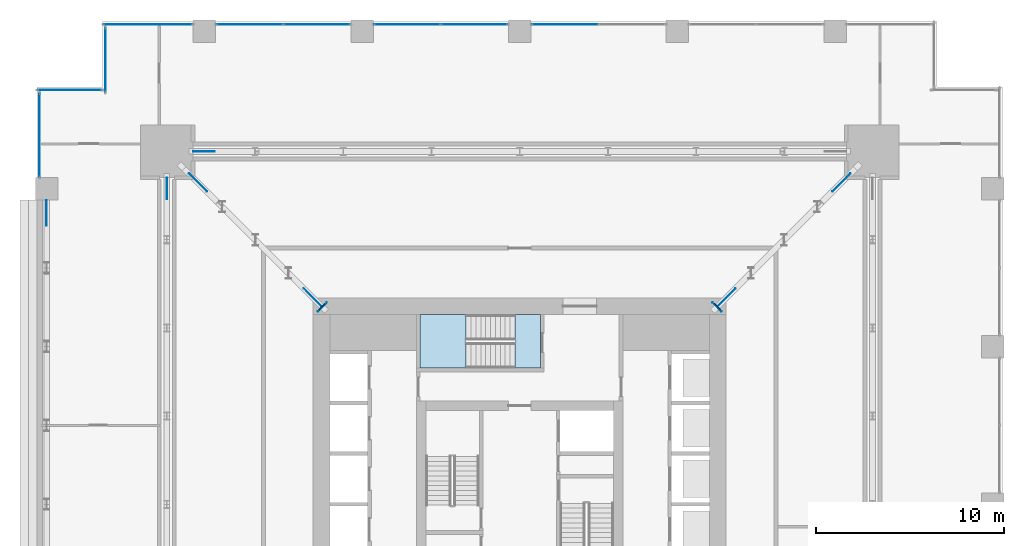
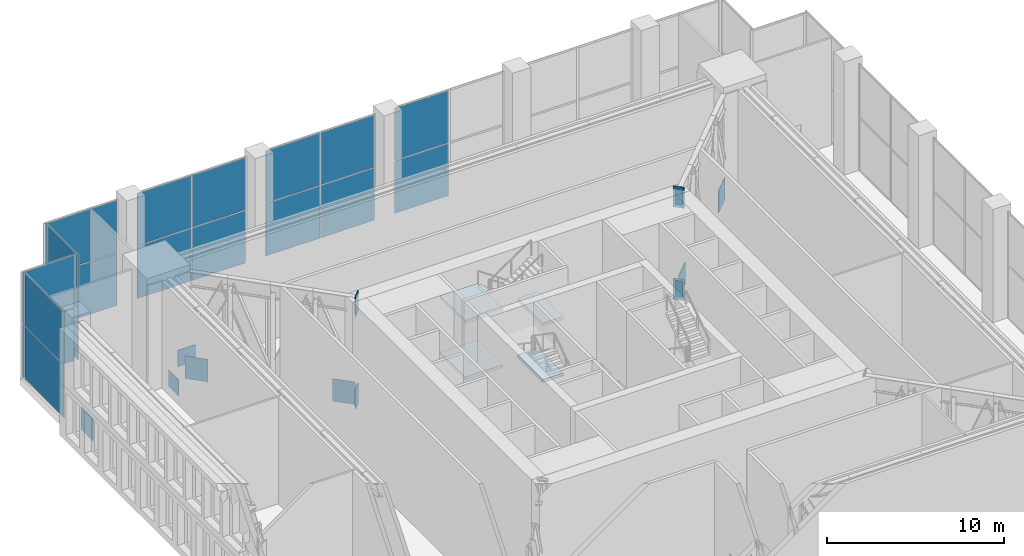
# One storey, part 14 of 21: 33 plates, 4 slabs, 8 elements without a shape of their own.
"""IFC4 building model written with IfcOpenShell, lengths in metres."""

from ifc_helpers import new_model, si_unit, direction, frame, origin, origin_2d, place, context, subcontext, project, spatial, polyline, rectangle, outline, extrude, material, layer, layer_set, type_object, element, aggregate, save


model = new_model("IFC4")

# Units and contexts
model_context = context("Model", 3, precision=1e-05, world=origin(), true_north=direction((0.0, 1.0)))
body_context = subcontext(model_context, "Body", "Model", "MODEL_VIEW")
ifc_project = project(units=[si_unit("LENGTHUNIT", "METRE"), si_unit("AREAUNIT", "SQUARE_METRE"), si_unit("VOLUMEUNIT", "CUBIC_METRE"), si_unit("PLANEANGLEUNIT", "RADIAN"), si_unit("MASSUNIT", "GRAM", prefix="KILO")], contexts=[model_context])

# Site, building, storey
site_placement = place(None, origin())
site = spatial("IfcSite", under=ifc_project, at=site_placement, CompositionType="ELEMENT")
building_placement = place(site_placement, origin())
building = spatial("IfcBuilding", under=site, at=building_placement, Name="Khepri Terraces", CompositionType="ELEMENT")
storey_placement = place(building_placement, frame((0.0, 0.0, 126.0)))
storey = spatial("IfcBuildingStorey", under=building, at=storey_placement, Name="L30", CompositionType="ELEMENT", Elevation=126.0)

# Curtain wall, plates
ifc_material_1 = material(Name="Anodised aluminium bronze curtain wall", Category="aluminium")
curtain_wall_type = type_object("IfcCurtainWallType", Name="CW-SYS3-SKY", PredefinedType="NOTDEFINED", material=ifc_material_1)
curtain_wall_1_placement = place(storey_placement, origin())
curtain_wall_1 = element("IfcCurtainWall", 1, at=curtain_wall_1_placement, inside=storey, type_object=curtain_wall_type, Name="Curtain wall CW3 L30 N", PredefinedType="NOTDEFINED")
ifc_material_2 = material(Name="Clear glass", Category="glass")
ifc_layer_1 = layer(ifc_material_2, 0.028076171875, Name="Clear glass", Category="glass")
ifc_layer_set_1 = layer_set([ifc_layer_1], Name="Clear glass")
plate_type_1 = type_object("IfcPlateType", Name="CW-PANEL-VISION-28", PredefinedType="CURTAIN_PANEL", material=ifc_layer_set_1)
plate_1_placement = place(storey_placement, frame((2.4150390625, 25.570068359375, 0.06005859375), z_axis=(0.0, 0.0, 1.0), x_axis=(-1.0, 0.0, 0.0)))
plate_1 = element("IfcPlate", 2, at=plate_1_placement, type_object=plate_type_1, Name="CW3 panel 2.1", PredefinedType="CURTAIN_PANEL", context=body_context, shape_type="SweptSolid", body=[
    extrude(rectangle(XDim=3.510009765625, YDim=0.028076171875, at=origin_2d()), origin(), (0.0, 0.0, 1.0), 3.60009765625),
])
plate_2_placement = place(storey_placement, frame((2.4150390625, 25.570068359375, 3.719970703125), z_axis=(0.0, 0.0, 1.0), x_axis=(-1.0, 0.0, 0.0)))
plate_2 = element("IfcPlate", 3, at=plate_2_placement, type_object=plate_type_1, Name="CW3 panel 2.2", PredefinedType="CURTAIN_PANEL", context=body_context, shape_type="SweptSolid", body=[
    extrude(rectangle(XDim=3.510009765625, YDim=0.028076171875, at=origin_2d()), origin(), (0.0, 0.0, 1.0), 3.60009765625),
])
aggregate(curtain_wall_1, [plate_1, plate_2])

curtain_wall_2_placement = place(storey_placement, origin())
curtain_wall_2 = element("IfcCurtainWall", 4, at=curtain_wall_2_placement, inside=storey, type_object=curtain_wall_type, Name="Curtain wall CW3 L30 N", PredefinedType="NOTDEFINED")
plate_3_placement = place(storey_placement, frame((-2.4150390625, 25.570068359375, 0.06005859375), z_axis=(0.0, 0.0, 1.0), x_axis=(-1.0, 0.0, 0.0)))
plate_3 = element("IfcPlate", 5, at=plate_3_placement, type_object=plate_type_1, Name="CW3 panel 1.1", PredefinedType="CURTAIN_PANEL", context=body_context, shape_type="SweptSolid", body=[
    extrude(rectangle(XDim=3.510009765625, YDim=0.028076171875, at=origin_2d()), origin(), (0.0, 0.0, 1.0), 3.60009765625),
])
plate_4_placement = place(storey_placement, frame((-2.4150390625, 25.570068359375, 3.719970703125), z_axis=(0.0, 0.0, 1.0), x_axis=(-1.0, 0.0, 0.0)))
plate_4 = element("IfcPlate", 6, at=plate_4_placement, type_object=plate_type_1, Name="CW3 panel 1.2", PredefinedType="CURTAIN_PANEL", context=body_context, shape_type="SweptSolid", body=[
    extrude(rectangle(XDim=3.510009765625, YDim=0.028076171875, at=origin_2d()), origin(), (0.0, 0.0, 1.0), 3.60009765625),
])
plate_5_placement = place(storey_placement, frame((-5.985107421875, 25.570068359375, 0.06005859375), z_axis=(0.0, 0.0, 1.0), x_axis=(-1.0, 0.0, 0.0)))
plate_5 = element("IfcPlate", 7, at=plate_5_placement, type_object=plate_type_1, Name="CW3 panel 2.1", PredefinedType="CURTAIN_PANEL", context=body_context, shape_type="SweptSolid", body=[
    extrude(rectangle(XDim=3.510009765625, YDim=0.028076171875, at=origin_2d()), origin(), (0.0, 0.0, 1.0), 3.60009765625),
])
plate_6_placement = place(storey_placement, frame((-5.985107421875, 25.570068359375, 3.719970703125), z_axis=(0.0, 0.0, 1.0), x_axis=(-1.0, 0.0, 0.0)))
plate_6 = element("IfcPlate", 8, at=plate_6_placement, type_object=plate_type_1, Name="CW3 panel 2.2", PredefinedType="CURTAIN_PANEL", context=body_context, shape_type="SweptSolid", body=[
    extrude(rectangle(XDim=3.510009765625, YDim=0.028076171875, at=origin_2d()), origin(), (0.0, 0.0, 1.0), 3.60009765625),
])
aggregate(curtain_wall_2, [plate_3, plate_4, plate_5, plate_6])

curtain_wall_3_placement = place(storey_placement, origin())
curtain_wall_3 = element("IfcCurtainWall", 9, at=curtain_wall_3_placement, inside=storey, type_object=curtain_wall_type, Name="Curtain wall CW3 L30 N", PredefinedType="NOTDEFINED")
plate_7_placement = place(storey_placement, frame((-10.81494140625, 25.570068359375, 0.06005859375), z_axis=(0.0, 0.0, 1.0), x_axis=(-1.0, 0.0, 0.0)))
plate_7 = element("IfcPlate", 10, at=plate_7_placement, type_object=plate_type_1, Name="CW3 panel 1.1", PredefinedType="CURTAIN_PANEL", context=body_context, shape_type="SweptSolid", body=[
    extrude(rectangle(XDim=3.510009765625, YDim=0.028076171875, at=origin_2d()), origin(), (0.0, 0.0, 1.0), 3.60009765625),
])
plate_8_placement = place(storey_placement, frame((-10.81494140625, 25.570068359375, 3.719970703125), z_axis=(0.0, 0.0, 1.0), x_axis=(-1.0, 0.0, 0.0)))
plate_8 = element("IfcPlate", 11, at=plate_8_placement, type_object=plate_type_1, Name="CW3 panel 1.2", PredefinedType="CURTAIN_PANEL", context=body_context, shape_type="SweptSolid", body=[
    extrude(rectangle(XDim=3.510009765625, YDim=0.028076171875, at=origin_2d()), origin(), (0.0, 0.0, 1.0), 3.60009765625),
])
plate_9_placement = place(storey_placement, frame((-14.385009765625, 25.570068359375, 0.06005859375), z_axis=(0.0, 0.0, 1.0), x_axis=(-1.0, 0.0, 0.0)))
plate_9 = element("IfcPlate", 12, at=plate_9_placement, type_object=plate_type_1, Name="CW3 panel 2.1", PredefinedType="CURTAIN_PANEL", context=body_context, shape_type="SweptSolid", body=[
    extrude(rectangle(XDim=3.510009765625, YDim=0.028076171875, at=origin_2d()), origin(), (0.0, 0.0, 1.0), 3.60009765625),
])
plate_10_placement = place(storey_placement, frame((-14.385009765625, 25.570068359375, 3.719970703125), z_axis=(0.0, 0.0, 1.0), x_axis=(-1.0, 0.0, 0.0)))
plate_10 = element("IfcPlate", 13, at=plate_10_placement, type_object=plate_type_1, Name="CW3 panel 2.2", PredefinedType="CURTAIN_PANEL", context=body_context, shape_type="SweptSolid", body=[
    extrude(rectangle(XDim=3.510009765625, YDim=0.028076171875, at=origin_2d()), origin(), (0.0, 0.0, 1.0), 3.60009765625),
])
aggregate(curtain_wall_3, [plate_7, plate_8, plate_9, plate_10])

curtain_wall_4_placement = place(storey_placement, origin())
curtain_wall_4 = element("IfcCurtainWall", 14, at=curtain_wall_4_placement, inside=storey, type_object=curtain_wall_type, Name="Curtain wall CW3 L30 N", PredefinedType="NOTDEFINED")
plate_11_placement = place(storey_placement, frame((-19.81005859375, 25.570068359375, 0.06005859375), z_axis=(0.0, 0.0, 1.0), x_axis=(-1.0, 0.0, 0.0)))
plate_11 = element("IfcPlate", 15, at=plate_11_placement, type_object=plate_type_1, Name="CW3 panel 1.1", PredefinedType="CURTAIN_PANEL", context=body_context, shape_type="SweptSolid", body=[
    extrude(rectangle(XDim=4.699951171875, YDim=0.028076171875, at=origin_2d()), origin(), (0.0, 0.0, 1.0), 3.60009765625),
])
plate_12_placement = place(storey_placement, frame((-19.81005859375, 25.570068359375, 3.719970703125), z_axis=(0.0, 0.0, 1.0), x_axis=(-1.0, 0.0, 0.0)))
plate_12 = element("IfcPlate", 16, at=plate_12_placement, type_object=plate_type_1, Name="CW3 panel 1.2", PredefinedType="CURTAIN_PANEL", context=body_context, shape_type="SweptSolid", body=[
    extrude(rectangle(XDim=4.699951171875, YDim=0.028076171875, at=origin_2d()), origin(), (0.0, 0.0, 1.0), 3.60009765625),
])
aggregate(curtain_wall_4, [plate_11, plate_12])

curtain_wall_5_placement = place(storey_placement, origin())
curtain_wall_5 = element("IfcCurtainWall", 17, at=curtain_wall_5_placement, inside=storey, type_object=curtain_wall_type, Name="Curtain wall CW3 L30 W", PredefinedType="NOTDEFINED")
plate_13_placement = place(storey_placement, frame((-22.070068359375, 23.669921875, 0.06005859375), z_axis=(0.0, 0.0, 1.0), x_axis=(0.0, -1.0, 0.0)))
plate_13 = element("IfcPlate", 18, at=plate_13_placement, type_object=plate_type_1, Name="CW3 panel 1.1", PredefinedType="CURTAIN_PANEL", context=body_context, shape_type="SweptSolid", body=[
    extrude(rectangle(XDim=3.3798828125, YDim=0.028076171875, at=origin_2d()), origin(), (0.0, 0.0, 1.0), 3.60009765625),
])
plate_14_placement = place(storey_placement, frame((-22.070068359375, 23.669921875, 3.719970703125), z_axis=(0.0, 0.0, 1.0), x_axis=(0.0, -1.0, 0.0)))
plate_14 = element("IfcPlate", 19, at=plate_14_placement, type_object=plate_type_1, Name="CW3 panel 1.2", PredefinedType="CURTAIN_PANEL", context=body_context, shape_type="SweptSolid", body=[
    extrude(rectangle(XDim=3.3798828125, YDim=0.028076171875, at=origin_2d()), origin(), (0.0, 0.0, 1.0), 3.60009765625),
])
aggregate(curtain_wall_5, [plate_13, plate_14])

curtain_wall_6_placement = place(storey_placement, origin())
curtain_wall_6 = element("IfcCurtainWall", 20, at=curtain_wall_6_placement, inside=storey, type_object=curtain_wall_type, Name="Curtain wall CW3 L30 N", PredefinedType="NOTDEFINED")
plate_15_placement = place(storey_placement, frame((-23.969970703125, 22.070068359375, 0.06005859375), z_axis=(0.0, 0.0, 1.0), x_axis=(-1.0, 0.0, 0.0)))
plate_15 = element("IfcPlate", 21, at=plate_15_placement, type_object=plate_type_1, Name="CW3 panel 1.1", PredefinedType="CURTAIN_PANEL", context=body_context, shape_type="SweptSolid", body=[
    extrude(rectangle(XDim=3.3798828125, YDim=0.028076171875, at=origin_2d()), origin(), (0.0, 0.0, 1.0), 3.60009765625),
])
plate_16_placement = place(storey_placement, frame((-23.969970703125, 22.070068359375, 3.719970703125), z_axis=(0.0, 0.0, 1.0), x_axis=(-1.0, 0.0, 0.0)))
plate_16 = element("IfcPlate", 22, at=plate_16_placement, type_object=plate_type_1, Name="CW3 panel 1.2", PredefinedType="CURTAIN_PANEL", context=body_context, shape_type="SweptSolid", body=[
    extrude(rectangle(XDim=3.3798828125, YDim=0.028076171875, at=origin_2d()), origin(), (0.0, 0.0, 1.0), 3.60009765625),
])
aggregate(curtain_wall_6, [plate_15, plate_16])

curtain_wall_7_placement = place(storey_placement, origin())
curtain_wall_7 = element("IfcCurtainWall", 23, at=curtain_wall_7_placement, inside=storey, type_object=curtain_wall_type, Name="Curtain wall CW3 L30 W", PredefinedType="NOTDEFINED")
plate_17_placement = place(storey_placement, frame((-25.570068359375, 19.659912109375, 0.06005859375), z_axis=(0.0, 0.0, 1.0), x_axis=(0.0, -1.0, 0.0)))
plate_17 = element("IfcPlate", 24, at=plate_17_placement, type_object=plate_type_1, Name="CW3 panel 1.1", PredefinedType="CURTAIN_PANEL", context=body_context, shape_type="SweptSolid", body=[
    extrude(rectangle(XDim=4.39990234375, YDim=0.028076171875, at=origin_2d()), origin(), (0.0, 0.0, 1.0), 3.60009765625),
])
plate_18_placement = place(storey_placement, frame((-25.570068359375, 19.659912109375, 3.719970703125), z_axis=(0.0, 0.0, 1.0), x_axis=(0.0, -1.0, 0.0)))
plate_18 = element("IfcPlate", 25, at=plate_18_placement, type_object=plate_type_1, Name="CW3 panel 1.2", PredefinedType="CURTAIN_PANEL", context=body_context, shape_type="SweptSolid", body=[
    extrude(rectangle(XDim=4.39990234375, YDim=0.028076171875, at=origin_2d()), origin(), (0.0, 0.0, 1.0), 3.60009765625),
])
aggregate(curtain_wall_7, [plate_17, plate_18])

# Plates
ifc_material_3 = material(Name="Steel S355", Category="steel")
ifc_layer_2 = layer(ifc_material_3, 0.034912109375, Name="Steel S355", Category="steel")
ifc_layer_set_2 = layer_set([ifc_layer_2], Name="Steel S355")
plate_type_2 = type_object("IfcPlateType", Name="Cast-in plate 1450x650x35", PredefinedType="USERDEFINED", material=ifc_layer_set_2)
for number, where, z_axis, x_axis, name in (
    (26, (10.50927734375, 10.50927734375, -0.22119140625), (0.0, 0.0, 1.0), (0.707106781187, 0.707106781187, 0.0), "CAST-IN PLATE OT-30-EN BOT wall A"),
    (27, (10.50927734375, 10.50927734375, 6.15087890625), (0.0, 0.0, 1.0), (0.707106781187, 0.707106781187, 0.0), "CAST-IN PLATE OT-30-EN TOP wall A"),
    (28, (-10.50927734375, 10.50927734375, -0.22119140625), (0.0, 0.0, 1.0), (-0.707106781187, 0.707106781187, 0.0), "CAST-IN PLATE OT-30-WN BOT wall A"),
    (29, (-10.50927734375, 10.50927734375, 6.15087890625), (0.0, 0.0, 1.0), (-0.707106781187, 0.707106781187, 0.0), "CAST-IN PLATE OT-30-WN TOP wall A"),
):
    element("IfcPlate", number, at=place(storey_placement, frame(where, z_axis=z_axis, x_axis=x_axis)), inside=storey, type_object=plate_type_2, Name=name, ObjectType="CAST-IN PLATE", PredefinedType="USERDEFINED", context=body_context, shape_type="SweptSolid", body=[
        extrude(rectangle(XDim=0.034912109375, YDim=0.64990234375, at=origin_2d()), origin(), (0.0, 0.0, 1.0), 1.449951171875),
    ])
ifc_layer_3 = layer(ifc_material_3, 0.0400390625, Name="Steel S355", Category="steel")
ifc_layer_set_3 = layer_set([ifc_layer_3], Name="Steel S355")
plate_type_3 = type_object("IfcPlateType", Name="End plate 1150x450x40", PredefinedType="USERDEFINED", material=ifc_layer_set_3)
for number, where, z_axis, x_axis, name in (
    (30, (10.535888671875, 10.535888671875, -0.071044921875), (0.0, 0.0, 1.0), (0.707106781187, 0.707106781187, 0.0), "END PLATE OT-30-EN BOT end A"),
    (31, (10.535888671875, 10.535888671875, 6.301025390625), (0.0, 0.0, 1.0), (0.707106781187, 0.707106781187, 0.0), "END PLATE OT-30-EN TOP end A"),
    (32, (-10.535888671875, 10.535888671875, -0.071044921875), (0.0, 0.0, 1.0), (-0.707106781187, 0.707106781187, 0.0), "END PLATE OT-30-WN BOT end A"),
    (33, (-10.535888671875, 10.535888671875, 6.301025390625), (0.0, 0.0, 1.0), (-0.707106781187, 0.707106781187, 0.0), "END PLATE OT-30-WN TOP end A"),
):
    element("IfcPlate", number, at=place(storey_placement, frame(where, z_axis=z_axis, x_axis=x_axis)), inside=storey, type_object=plate_type_3, Name=name, ObjectType="END PLATE", PredefinedType="USERDEFINED", context=body_context, shape_type="SweptSolid", body=[
        extrude(rectangle(XDim=0.0400390625, YDim=0.449951171875, at=origin_2d()), origin(), (0.0, 0.0, 1.0), 1.14990234375),
    ])
ifc_layer_4 = layer(ifc_material_3, 0.030029296875, Name="Steel S355", Category="steel")
ifc_layer_set_4 = layer_set([ifc_layer_4], Name="Steel S355")
plate_type_4 = type_object("IfcPlateType", Name="Gusset plate 1150x1150x30", PredefinedType="USERDEFINED", material=ifc_layer_set_4)
for number, where, z_axis, x_axis, name in (
    (34, (-16.824951171875, 18.800048828125, -0.099853515625), (0.0, 0.0, 1.0), (-1.0, 0.0, 0.0), "GUSSET PLATE BT-30-N column node B"),
    (35, (-18.800048828125, 16.824951171875, -0.099853515625), (0.0, 0.0, 1.0), (0.0, -1.0, 0.0), "GUSSET PLATE BT-30-W column node A"),
):
    element("IfcPlate", number, at=place(storey_placement, frame(where, z_axis=z_axis, x_axis=x_axis)), inside=storey, type_object=plate_type_4, Name=name, ObjectType="GUSSET PLATE", PredefinedType="USERDEFINED", context=body_context, shape_type="SweptSolid", body=[
        extrude(rectangle(XDim=1.14990234375, YDim=0.030029296875, at=origin_2d()), origin(), (0.0, 0.0, 1.0), 1.14990234375),
    ])
ifc_layer_5 = layer(ifc_material_3, 0.034912109375, Name="Steel S355", Category="steel")
ifc_layer_set_5 = layer_set([ifc_layer_5], Name="Steel S355")
plate_type_5 = type_object("IfcPlateType", Name="Gusset plate 1350x1550x35", PredefinedType="USERDEFINED", material=ifc_layer_set_5)
for number, where, z_axis, x_axis, name in (
    (36, (11.02734375, 11.02734375, -0.10009765625), (0.0, 0.0, 1.0), (0.707106781187, 0.707106781187, 0.0), "GUSSET PLATE OT-30-EN node A"),
    (37, (17.134765625, 17.134765625, -0.10009765625), (0.0, 0.0, 1.0), (0.707106781187, 0.707106781187, 0.0), "GUSSET PLATE OT-30-EN column node B"),
    (38, (-11.02734375, 11.02734375, -0.10009765625), (0.0, 0.0, 1.0), (-0.707106781187, 0.707106781187, 0.0), "GUSSET PLATE OT-30-WN node A"),
    (39, (-17.134765625, 17.134765625, -0.10009765625), (0.0, 0.0, 1.0), (-0.707106781187, 0.707106781187, 0.0), "GUSSET PLATE OT-30-WN column node B"),
    (40, (-25.199951171875, 15.52490234375, -0.10009765625), (0.0, 0.0, 1.0), (0.0, -1.0, 0.0), "GUSSET PLATE TT-30-W column node A"),
):
    element("IfcPlate", number, at=place(storey_placement, frame(where, z_axis=z_axis, x_axis=x_axis)), inside=storey, type_object=plate_type_5, Name=name, ObjectType="GUSSET PLATE", PredefinedType="USERDEFINED", context=body_context, shape_type="SweptSolid", body=[
        extrude(rectangle(XDim=1.35009765625, YDim=0.034912109375, at=origin_2d()), origin(), (0.0, 0.0, 1.0), 1.550048828125),
    ])

# Stair, slabs
ifc_material_4 = material(Name="Concrete C40/50", Category="concrete")
stair_type = type_object("IfcStairType", Name="STAIR-RC-44R", PredefinedType="HALF_TURN_STAIR", material=ifc_material_4)
stair_placement = place(storey_placement, origin())
stair = element("IfcStair", 41, at=stair_placement, inside=storey, type_object=stair_type, Name="L30 Exit Stair ST-3", PredefinedType="HALF_TURN_STAIR")
ifc_layer_6 = layer(ifc_material_4, 0.199951171875, Name="Concrete C40/50", Category="concrete")
ifc_layer_set_6 = layer_set([ifc_layer_6], Name="Concrete C40/50")
slab_type = type_object("IfcSlabType", Name="SLB-CORE-LANDING", PredefinedType="LANDING", material=ifc_layer_set_6)
slab_1_placement = place(storey_placement, frame((0.0, 0.0, -0.199951171875)))
slab_1 = element("IfcSlab", 42, at=slab_1_placement, type_object=slab_type, Name="ST-3 landing 1", PredefinedType="LANDING", context=body_context, shape_type="SweptSolid", body=[
    extrude(outline(polyline([(1.10009765625, 10.10009765625), (-0.25, 10.10009765625), (-0.25, 7.25), (1.10009765625, 7.25), (1.10009765625, 10.10009765625)])), origin(), (0.0, 0.0, 1.0), 0.199951171875),
])
slab_2_placement = place(storey_placement, frame((0.0, 0.0, 1.75)))
slab_2 = element("IfcSlab", 43, at=slab_2_placement, type_object=slab_type, Name="ST-3 landing 2", PredefinedType="LANDING", context=body_context, shape_type="SweptSolid", body=[
    extrude(outline(polyline([(-2.85009765625, 10.10009765625), (-5.300048828125, 10.10009765625), (-5.300048828125, 7.25), (-2.85009765625, 7.25), (-2.85009765625, 10.10009765625)])), origin(), (0.0, 0.0, 1.0), 0.199951171875),
])
slab_3_placement = place(storey_placement, frame((0.0, 0.0, 3.699951171875)))
slab_3 = element("IfcSlab", 44, at=slab_3_placement, type_object=slab_type, Name="ST-3 landing 3", PredefinedType="LANDING", context=body_context, shape_type="SweptSolid", body=[
    extrude(outline(polyline([(1.10009765625, 10.10009765625), (-0.25, 10.10009765625), (-0.25, 7.25), (1.10009765625, 7.25), (1.10009765625, 10.10009765625)])), origin(), (0.0, 0.0, 1.0), 0.199951171875),
])
slab_4_placement = place(storey_placement, frame((0.0, 0.0, 5.64990234375)))
slab_4 = element("IfcSlab", 45, at=slab_4_placement, type_object=slab_type, Name="ST-3 landing 4", PredefinedType="LANDING", context=body_context, shape_type="SweptSolid", body=[
    extrude(outline(polyline([(-2.85009765625, 10.10009765625), (-5.300048828125, 10.10009765625), (-5.300048828125, 7.25), (-2.85009765625, 7.25), (-2.85009765625, 10.10009765625)])), origin(), (0.0, 0.0, 1.0), 0.2001953125),
])
aggregate(stair, [slab_1, slab_2, slab_3, slab_4])

save(model, "model.ifc")
